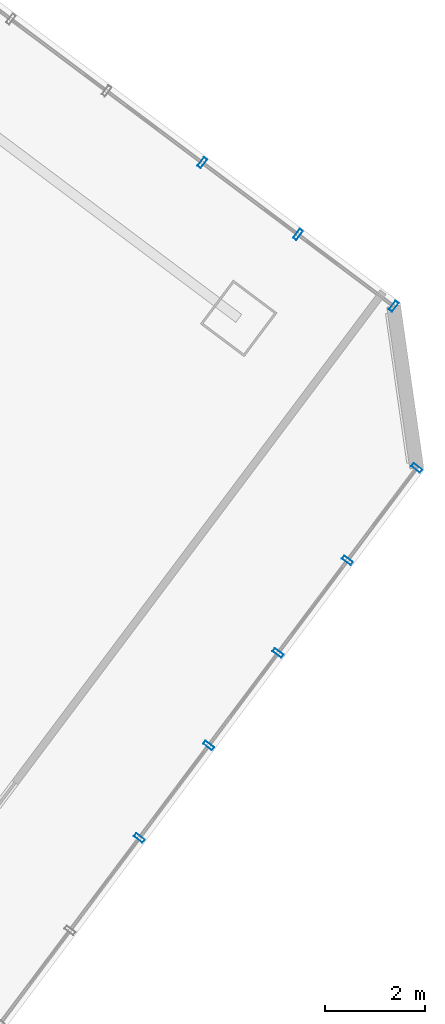
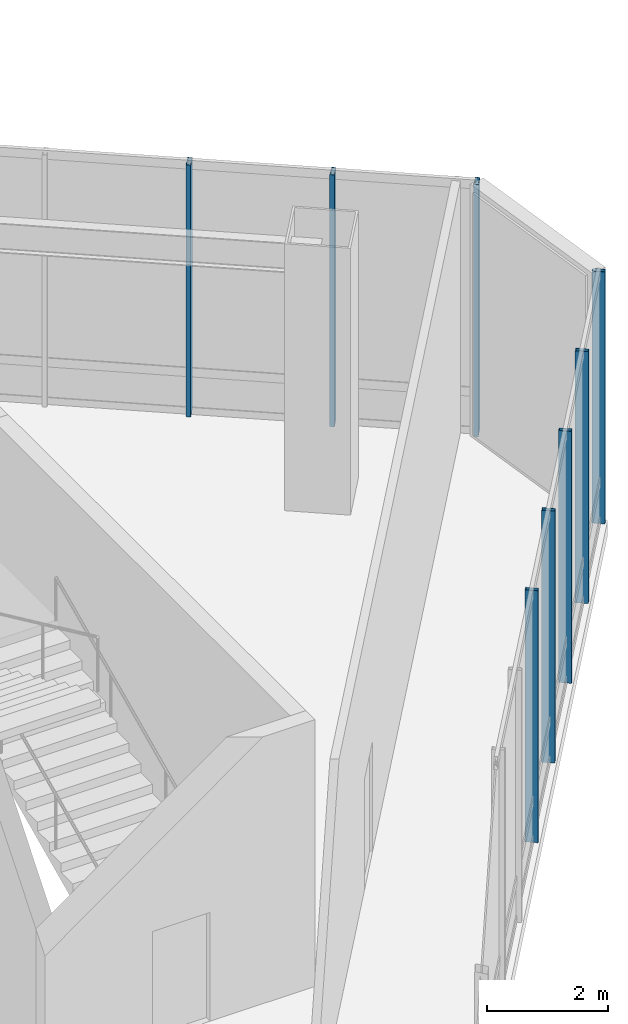
# One storey, part 23 of 35: 8 members, 2 elements without a shape of their own.
"""IFC4 building model written with IfcOpenShell, lengths in metres."""

from ifc_helpers import new_model, si_unit, direction, frame, origin, origin_2d, place, context, subcontext, project, spatial, hollow_rectangle, extrude, material, layer, layer_set, material_profile, profile_set, type_object, element, aggregate, save


model = new_model("IFC4")

# Units and contexts
model_context = context("Model", 3, precision=1e-05, world=origin(), true_north=direction((0.0, 1.0)))
body_context = subcontext(model_context, "Body", "Model", "MODEL_VIEW")
ifc_project = project(units=[si_unit("LENGTHUNIT", "METRE"), si_unit("AREAUNIT", "SQUARE_METRE"), si_unit("VOLUMEUNIT", "CUBIC_METRE"), si_unit("PLANEANGLEUNIT", "RADIAN"), si_unit("MASSUNIT", "GRAM", prefix="KILO")], contexts=[model_context])

# Site, building, storey
site_placement = place(None, origin())
site = spatial("IfcSite", under=ifc_project, at=site_placement, CompositionType="ELEMENT")
building_placement = place(site_placement, origin())
building = spatial("IfcBuilding", under=site, at=building_placement, Name="Hatsunagi Terrace Concourse", CompositionType="ELEMENT")
storey_placement = place(building_placement, frame((0.0, 0.0, 10.800048828125)))
storey = spatial("IfcBuildingStorey", under=building, at=storey_placement, Name="L03", CompositionType="ELEMENT", Elevation=10.800048828125)

# Curtain wall, members
ifc_material_1 = material(Name="Anodised Aluminium Alloy 6063-T5", Category="aluminium")
ifc_layer = layer(ifc_material_1, 0.199951171875)
ifc_layer_set = layer_set([ifc_layer], Name="PodiumStorefront_CW01")
curtain_wall_type = type_object("IfcCurtainWallType", Name="PodiumStorefront_CW01", PredefinedType="NOTDEFINED", material=ifc_layer_set)
curtain_wall_1_placement = place(storey_placement, origin())
curtain_wall_1 = element("IfcCurtainWall", 1, at=curtain_wall_1_placement, inside=storey, type_object=curtain_wall_type, Name="Unitised Curtain Wall CW-01 CW-L03-01", PredefinedType="NOTDEFINED")
ifc_material_2 = material(Name="Anodised Aluminium Alloy 6063-T5", Category="aluminium")
ifc_material_profile = material_profile(ifc_material_2, hollow_rectangle(XDim=0.080078125, YDim=0.219970703125, WallThickness=0.0048828125, at=origin_2d()), Name="ALU-MUL-220x80x5")
ifc_profile_set = profile_set([ifc_material_profile], Name="Anodised Aluminium Alloy 6063-T5")
member_type = type_object("IfcMemberType", Name="CurtainWallMullion_Heavy_220x80", PredefinedType="MULLION", material=ifc_profile_set)
member_1_placement = place(storey_placement, frame((65.988037109375, 24.884033203125, 0.0), z_axis=(0.0, 0.0, 1.0), x_axis=(0.800007305671, -0.599990258982, 0.0)))
member_1 = element("IfcMember", 2, at=member_1_placement, type_object=member_type, Name="Curtain Wall Mullion MUL-01", PredefinedType="MULLION", context=body_context, shape_type="SweptSolid", body=[
    extrude(hollow_rectangle(XDim=0.080078125, YDim=0.219970703125, WallThickness=0.0048828125, at=origin_2d()), origin(), (0.0, 0.0, 1.0), 5.099853515625),
])
member_2_placement = place(storey_placement, frame((67.908935546875, 23.444091796875, 0.0), z_axis=(0.0, 0.0, 1.0), x_axis=(0.800007305671, -0.599990258982, 0.0)))
member_2 = element("IfcMember", 3, at=member_2_placement, type_object=member_type, Name="Curtain Wall Mullion MUL-01", PredefinedType="MULLION", context=body_context, shape_type="SweptSolid", body=[
    extrude(hollow_rectangle(XDim=0.080078125, YDim=0.219970703125, WallThickness=0.0048828125, at=origin_2d()), origin(), (0.0, 0.0, 1.0), 5.099853515625),
])
member_3_placement = place(storey_placement, frame((69.830078125, 22.0029296875, 0.0), z_axis=(0.0, 0.0, 1.0), x_axis=(0.800007305671, -0.599990258982, 0.0)))
member_3 = element("IfcMember", 4, at=member_3_placement, type_object=member_type, Name="Curtain Wall Mullion MUL-01", PredefinedType="MULLION", context=body_context, shape_type="SweptSolid", body=[
    extrude(hollow_rectangle(XDim=0.080078125, YDim=0.219970703125, WallThickness=0.0048828125, at=origin_2d()), origin(), (0.0, 0.0, 1.0), 5.099853515625),
])
aggregate(curtain_wall_1, [member_1, member_2, member_3])

curtain_wall_2_placement = place(storey_placement, origin())
curtain_wall_2 = element("IfcCurtainWall", 5, at=curtain_wall_2_placement, inside=storey, type_object=curtain_wall_type, Name="Unitised Curtain Wall CW-01 CW-L03-03", PredefinedType="NOTDEFINED")
member_4_placement = place(storey_placement, frame((70.29296875, 18.758056640625, 0.0), z_axis=(0.0, 0.0, 1.0), x_axis=(-0.599969314634, -0.800023013105, 0.0)))
member_4 = element("IfcMember", 6, at=member_4_placement, type_object=member_type, Name="Curtain Wall Mullion MUL-01", PredefinedType="MULLION", context=body_context, shape_type="SweptSolid", body=[
    extrude(hollow_rectangle(XDim=0.080078125, YDim=0.219970703125, WallThickness=0.0048828125, at=origin_2d()), origin(), (0.0, 0.0, 1.0), 5.099853515625),
])
member_5_placement = place(storey_placement, frame((68.90087890625, 16.902099609375, 0.0), z_axis=(0.0, 0.0, 1.0), x_axis=(-0.599969314634, -0.800023013105, 0.0)))
member_5 = element("IfcMember", 7, at=member_5_placement, type_object=member_type, Name="Curtain Wall Mullion MUL-01", PredefinedType="MULLION", context=body_context, shape_type="SweptSolid", body=[
    extrude(hollow_rectangle(XDim=0.080078125, YDim=0.219970703125, WallThickness=0.0048828125, at=origin_2d()), origin(), (0.0, 0.0, 1.0), 5.099853515625),
])
member_6_placement = place(storey_placement, frame((67.509033203125, 15.044921875, 0.0), z_axis=(0.0, 0.0, 1.0), x_axis=(-0.599969314634, -0.800023013105, 0.0)))
member_6 = element("IfcMember", 8, at=member_6_placement, type_object=member_type, Name="Curtain Wall Mullion MUL-01", PredefinedType="MULLION", context=body_context, shape_type="SweptSolid", body=[
    extrude(hollow_rectangle(XDim=0.080078125, YDim=0.219970703125, WallThickness=0.0048828125, at=origin_2d()), origin(), (0.0, 0.0, 1.0), 5.099853515625),
])
member_7_placement = place(storey_placement, frame((66.115966796875, 13.18896484375, 0.0), z_axis=(0.0, 0.0, 1.0), x_axis=(-0.599969314634, -0.800023013105, 0.0)))
member_7 = element("IfcMember", 9, at=member_7_placement, type_object=member_type, Name="Curtain Wall Mullion MUL-01", PredefinedType="MULLION", context=body_context, shape_type="SweptSolid", body=[
    extrude(hollow_rectangle(XDim=0.080078125, YDim=0.219970703125, WallThickness=0.0048828125, at=origin_2d()), origin(), (0.0, 0.0, 1.0), 5.099853515625),
])
member_8_placement = place(storey_placement, frame((64.72412109375, 11.33203125, 0.0), z_axis=(0.0, 0.0, 1.0), x_axis=(-0.599969314634, -0.800023013105, 0.0)))
member_8 = element("IfcMember", 10, at=member_8_placement, type_object=member_type, Name="Curtain Wall Mullion MUL-01", PredefinedType="MULLION", context=body_context, shape_type="SweptSolid", body=[
    extrude(hollow_rectangle(XDim=0.080078125, YDim=0.219970703125, WallThickness=0.0048828125, at=origin_2d()), origin(), (0.0, 0.0, 1.0), 5.099853515625),
])
aggregate(curtain_wall_2, [member_4, member_5, member_6, member_7, member_8])

save(model, "model.ifc")
